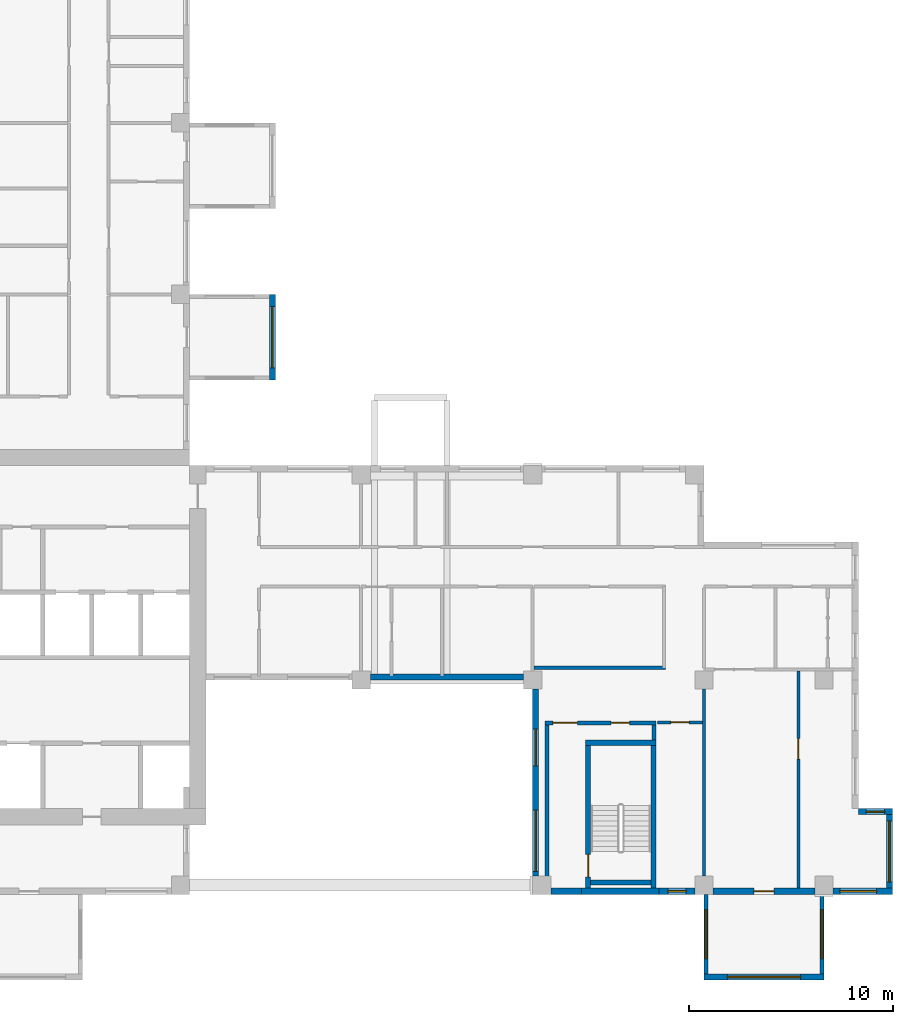
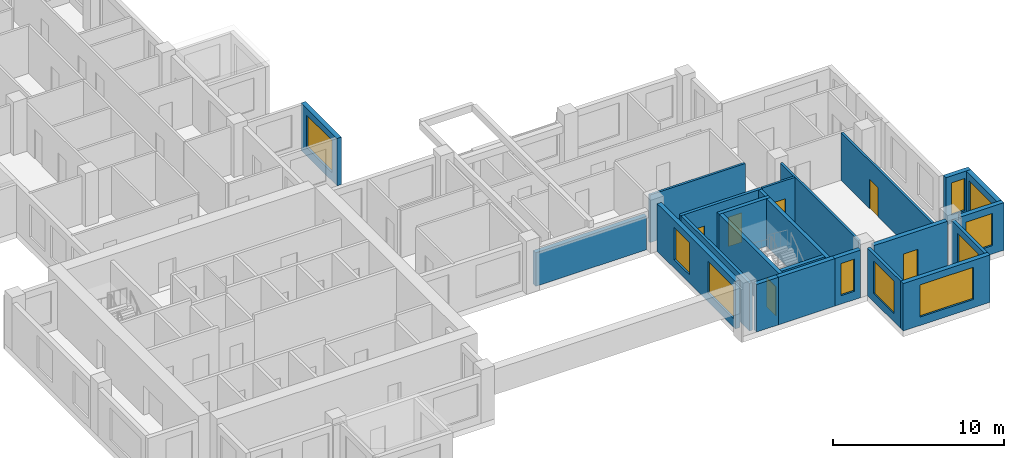
# One storey, part 4 of 11: 24 walls, 10 windows, 6 doors, 16 openings.
"""IFC4 building model written with IfcOpenShell, lengths in metres."""

import ifcopenshell
import ifcopenshell.guid

model = None  # the IFC model being written
_history = None  # IfcOwnerHistory: only IFC2X3 demands one
_inside = {}  # id of a spatial element -> (the spatial element, [elements in it])
_under = {}  # id of a project, library or spatial element -> (it, [spatial elements below it])
_declared = {}  # id of a project -> (the project, [libraries it declares])
_typed = {}  # id of a type object -> (the type object, [elements of that type])
_made_of = {}  # id of a material, layer set ... -> (it, [elements and type objects made of it])


def new_model(schema):
    """Start an empty IFC model of exactly this schema.

    Asked for "IFC4X3", IfcOpenShell would pick the latest addendum, in which some entities
    have other attributes; the version numbers below select the first issue.
    IFC2X3 requires an IfcOwnerHistory on every rooted entity: one is made here for all.
    """
    global model, _history
    if schema == "IFC4X3":
        model = ifcopenshell.file(schema_version=(4, 3, 0, 0))
    else:
        model = ifcopenshell.file(schema=schema)
    _inside.clear()
    _under.clear()
    _declared.clear()
    _typed.clear()
    _made_of.clear()
    _history = None
    if model.schema == "IFC2X3":
        org = make("IfcOrganization", Name="unknown")
        user = make(
            "IfcPersonAndOrganization",
            ThePerson=make("IfcPerson", FamilyName="unknown"),
            TheOrganization=org,
        )
        app = make(
            "IfcApplication",
            ApplicationDeveloper=org,
            Version="unknown",
            ApplicationFullName="unknown",
            ApplicationIdentifier="unknown",
        )
        _history = make(
            "IfcOwnerHistory",
            OwningUser=user,
            OwningApplication=app,
            ChangeAction="ADDED",
            CreationDate=0,
        )
    return model


def make(cls, **values):
    """One entity of the class cls with the attributes given. An attribute that is None is left unset."""
    return model.create_entity(
        cls, **{name: value for name, value in values.items() if value is not None}
    )


def rooted(cls, **values):
    """An entity with a GlobalId (a new one), such as an element, a storey or a relation."""
    return make(cls, GlobalId=ifcopenshell.guid.new(), OwnerHistory=_history, **values)


def si_unit(unit_type, name, prefix=None):
    """IfcSIUnit, for example si_unit("LENGTHUNIT", "METRE", prefix="MILLI")."""
    return make("IfcSIUnit", UnitType=unit_type, Prefix=prefix, Name=name)


def assignment(units):
    """IfcUnitAssignment: the units of a project."""
    return None if units is None else make("IfcUnitAssignment", Units=units)


def point(xyz):
    """IfcCartesianPoint."""
    return None if xyz is None else make("IfcCartesianPoint", Coordinates=xyz)


def direction(xyz):
    """IfcDirection."""
    return None if xyz is None else make("IfcDirection", DirectionRatios=xyz)


def frame(location, z_axis=None, x_axis=None):
    """IfcAxis2Placement3D, a coordinate frame: its origin and axes. An axis left out is left unset."""
    return make(
        "IfcAxis2Placement3D",
        Location=point(location),
        Axis=direction(z_axis),
        RefDirection=direction(x_axis),
    )


def frame_2d(location, x_axis=None):
    """IfcAxis2Placement2D, a coordinate frame in the plane: its origin and x axis."""
    return make(
        "IfcAxis2Placement2D", Location=point(location), RefDirection=direction(x_axis)
    )


def origin():
    """The frame at (0, 0, 0) with its axes left unset."""
    return frame((0.0, 0.0, 0.0))


def place(relative_to, where):
    """IfcLocalPlacement: puts the frame where relative to a parent placement (None: the world)."""
    return make(
        "IfcLocalPlacement", PlacementRelTo=relative_to, RelativePlacement=where
    )


def context(
    kind, dimensions, precision=None, world=None, true_north=None, identifier=None
):
    """IfcGeometricRepresentationContext, for example the 3D "Model" context."""
    return make(
        "IfcGeometricRepresentationContext",
        ContextIdentifier=identifier,
        ContextType=kind,
        CoordinateSpaceDimension=dimensions,
        Precision=precision,
        WorldCoordinateSystem=world,
        TrueNorth=true_north,
    )


def subcontext(parent, identifier, kind, view, scale=None):
    """IfcGeometricRepresentationSubContext, for example "Body" below "Model"."""
    return make(
        "IfcGeometricRepresentationSubContext",
        ContextIdentifier=identifier,
        ContextType=kind,
        ParentContext=parent,
        TargetScale=scale,
        TargetView=view,
    )


def project(units=None, contexts=None):
    """IfcProject with its units and contexts."""
    return rooted(
        "IfcProject",
        Name="project",
        RepresentationContexts=contexts,
        UnitsInContext=assignment(units),
    )


def spatial(cls, under=None, at=None, **own):
    """A site, building, storey or space (cls), placed at a placement, below another one or the project."""
    s = rooted(cls, ObjectPlacement=at, **own)
    if under is not None:
        _under.setdefault(under.id(), (under, []))[1].append(s)
    return s


def profile(cls, at=None, kind="AREA", **sizes):
    """A parametric profile (cls). Its sizes go by their IFC names, for example OverallWidth=200.0."""
    return make(cls, ProfileType=kind, Position=at, **sizes)


def rectangle(**sizes):
    """IfcRectangleProfileDef."""
    return profile("IfcRectangleProfileDef", **sizes)


def extrude(swept, where, along, depth):
    """IfcExtrudedAreaSolid: the profile swept, set in the frame where, extruded along a direction by depth."""
    return make(
        "IfcExtrudedAreaSolid",
        SweptArea=swept,
        Position=where,
        ExtrudedDirection=direction(along),
        Depth=depth,
    )


def shape(context_of_items, identifier, shape_type, items):
    """IfcShapeRepresentation: the items that make up one representation, for example the "Body"."""
    return make(
        "IfcShapeRepresentation",
        ContextOfItems=context_of_items,
        RepresentationIdentifier=identifier,
        RepresentationType=shape_type,
        Items=items,
    )


def source(mapping_origin, context_of_items, identifier, shape_type, items):
    """IfcRepresentationMap: a shape defined once, which mapped items show again and again."""
    return make(
        "IfcRepresentationMap",
        MappingOrigin=mapping_origin,
        MappedRepresentation=shape(context_of_items, identifier, shape_type, items),
    )


def transform(
    local_origin,
    x_axis=None,
    y_axis=None,
    z_axis=None,
    scale=None,
    scale2=None,
    scale3=None,
    uniform=True,
):
    """IfcCartesianTransformationOperator3D, or its non-uniform kind. x_axis, y_axis, z_axis: its Axis1, 2, 3."""
    if uniform:
        return make(
            "IfcCartesianTransformationOperator3D",
            Axis1=direction(x_axis),
            Axis2=direction(y_axis),
            LocalOrigin=point(local_origin),
            Scale=scale,
            Axis3=direction(z_axis),
        )
    return make(
        "IfcCartesianTransformationOperator3DnonUniform",
        Axis1=direction(x_axis),
        Axis2=direction(y_axis),
        LocalOrigin=point(local_origin),
        Scale=scale,
        Axis3=direction(z_axis),
        Scale2=scale2,
        Scale3=scale3,
    )


def mapped(mapping_source, mapping_target):
    """IfcMappedItem: shows the shape of a source again, moved by a transform."""
    return make(
        "IfcMappedItem", MappingSource=mapping_source, MappingTarget=mapping_target
    )


def material(Name=None, Category=None):
    """IfcMaterial."""
    return make("IfcMaterial", Name=Name, Category=Category)


def layer(
    of_material, thickness, ventilated=None, Name=None, Category=None, Priority=None
):
    """IfcMaterialLayer: one layer of a wall or slab, of a material (None: an air gap)."""
    return make(
        "IfcMaterialLayer",
        Material=of_material,
        LayerThickness=thickness,
        IsVentilated=ventilated,
        Name=Name,
        Category=Category,
        Priority=Priority,
    )


def layer_set(layers, Name=None):
    """IfcMaterialLayerSet."""
    return make("IfcMaterialLayerSet", MaterialLayers=layers, LayerSetName=Name)


def made_of(thing, what):
    """Note that an element or type object is made of a material, layer set ...; save() writes the relation."""
    if what is not None:
        _made_of.setdefault(what.id(), (what, []))[1].append(thing)
    return thing


def type_object(cls, material=None, **own):
    """A type object (cls), such as IfcWallType, which elements share."""
    return made_of(rooted(cls, **own), material)


def element(
    cls,
    number,
    at=None,
    inside=None,
    cuts=None,
    type_object=None,
    material=None,
    context=None,
    identifier="Body",
    shape_type=None,
    held_by="IfcProductDefinitionShape",
    body=None,
    shapes=None,
    **own,
):
    """One element of the class cls, such as IfcWall. Its Tag is "e" and its number.

    at: its placement. inside: the storey or other place that contains it. cuts: it is an
    opening in that element (IfcRelVoidsElement). A single representation is given by context,
    identifier, shape_type and body (its items); several are given by shapes. held_by: the class
    of the entity that holds the representations. save() writes the other relations.
    """
    e = rooted(cls, Tag="e%d" % number, ObjectPlacement=at, **own)
    if body is not None:
        shapes = [shape(context, identifier, shape_type, body)]
    if shapes is not None:
        e.Representation = make(held_by, Representations=shapes)
    if inside is not None:
        _inside.setdefault(inside.id(), (inside, []))[1].append(e)
    if cuts is not None:
        rooted(
            "IfcRelVoidsElement", RelatingBuildingElement=cuts, RelatedOpeningElement=e
        )
    if type_object is not None:
        _typed.setdefault(type_object.id(), (type_object, []))[1].append(e)
    return made_of(e, material)


def fill(opening, filler):
    """IfcRelFillsElement: the door or window that sits in an opening."""
    return rooted(
        "IfcRelFillsElement",
        RelatingOpeningElement=opening,
        RelatedBuildingElement=filler,
    )


def aggregate(whole, parts):
    """IfcRelAggregates: a whole, such as a stair, and the parts it consists of."""
    return rooted("IfcRelAggregates", RelatingObject=whole, RelatedObjects=parts)


def save(model, path):
    """Write the relations noted so far, then the file.

    IfcRelAggregates (storeys below a building ...), IfcRelContainedInSpatialStructure (elements
    in a storey), IfcRelDefinesByType, IfcRelAssociatesMaterial and IfcRelDeclares: one each for
    every whole, place, type object, material and project.
    """
    for whole, parts in _under.values():
        aggregate(whole, parts)
    for where, things in _inside.values():
        rooted(
            "IfcRelContainedInSpatialStructure",
            RelatedElements=things,
            RelatingStructure=where,
        )
    for kind, things in _typed.values():
        rooted("IfcRelDefinesByType", RelatedObjects=things, RelatingType=kind)
    for what, things in _made_of.values():
        rooted("IfcRelAssociatesMaterial", RelatedObjects=things, RelatingMaterial=what)
    for by, libraries in _declared.values():
        rooted("IfcRelDeclares", RelatingContext=by, RelatedDefinitions=libraries)
    model.write(path)


model = new_model("IFC4")

# Units and contexts
model_context = context("Model", 3, precision=1e-05, world=origin(), true_north=direction((0.0, 1.0)))
body_context = subcontext(model_context, "Body", "Model", "MODEL_VIEW")
ifc_project = project(units=[si_unit("LENGTHUNIT", "METRE"), si_unit("AREAUNIT", "SQUARE_METRE"), si_unit("VOLUMEUNIT", "CUBIC_METRE"), si_unit("PLANEANGLEUNIT", "RADIAN"), si_unit("MASSUNIT", "GRAM", prefix="KILO")], contexts=[model_context])

# Site, building, storey
site_placement = place(None, origin())
site = spatial("IfcSite", under=ifc_project, at=site_placement, CompositionType="ELEMENT")
building_placement = place(site_placement, origin())
building = spatial("IfcBuilding", under=site, at=building_placement, Name="Aurelian Terraces", CompositionType="ELEMENT")
storey_placement = place(building_placement, frame((0.0, 0.0, 212.0)))
storey = spatial("IfcBuildingStorey", under=building, at=storey_placement, Name="L47", CompositionType="ELEMENT", Elevation=212.0)

# Wall, opening, window
ifc_material_1 = material(Name="Terracotta rainscreen cladding", Category="masonry")
ifc_layer_1 = layer(ifc_material_1, 0.3)
ifc_layer_set_1 = layer_set([ifc_layer_1], Name="EW-300")
wall_type_1 = type_object("IfcWallType", Name="EW-300", PredefinedType="STANDARD", material=ifc_layer_set_1)
shared_shape_1 = source(origin(), body_context, "Body", "SweptSolid", [
    extrude(rectangle(XDim=2.91, YDim=0.3, at=frame_2d((1.455, 0.0))), origin(), (0.0, 0.0, 1.0), 3.4),
])
wall_1_placement = place(storey_placement, frame((52.53, 0.15, 0.0), z_axis=(0.0, 0.0, 1.0), x_axis=(1.0, 0.0, 0.0)))
wall_1 = element("IfcWall", 1, at=wall_1_placement, inside=storey, type_object=wall_type_1, Name="External wall L47 F05.10", PredefinedType="STANDARD", context=body_context, shape_type="MappedRepresentation", body=[
    mapped(shared_shape_1, transform((0.0, 0.0, 0.0), scale=1.0)),
])
shared_shape_2 = source(origin(), body_context, "Body", "SweptSolid", [
    extrude(rectangle(XDim=1.8, YDim=2.3, at=frame_2d((0.9, 1.15))), frame((0.0, 0.16, 0.0), z_axis=(0.0, -1.0, 0.0), x_axis=(1.0, 0.0, 0.0)), (0.0, 0.0, 1.0), 0.32),
])
opening_1_placement = place(wall_1_placement, frame((0.33, 0.0, 0.6)))
opening_1 = element("IfcOpeningElement", 2, at=opening_1_placement, cuts=wall_1, Name="Opening W1823", PredefinedType="OPENING", context=body_context, shape_type="MappedRepresentation", body=[
    mapped(shared_shape_2, transform((0.0, 0.0, 0.0), scale=1.0)),
])
ifc_material_2 = material(Name="Clear glazing", Category="glass")
window_type_1 = type_object("IfcWindowType", Name="W-1800x2300", PartitioningType="SINGLE_PANEL", PredefinedType="WINDOW", material=ifc_material_2)
shared_shape_3 = source(origin(), body_context, "Body", "SweptSolid", [
    extrude(rectangle(XDim=1.8, YDim=2.3, at=frame_2d((0.9, 1.15))), frame((0.0, 0.03, 0.0), z_axis=(0.0, -1.0, 0.0), x_axis=(1.0, 0.0, 0.0)), (0.0, 0.0, 1.0), 0.06),
])
window_1_placement = place(opening_1_placement, origin())
window_1 = element("IfcWindow", 3, at=window_1_placement, inside=storey, type_object=window_type_1, Name="Window L47 L47-F05-10-0", OverallHeight=2.3, OverallWidth=1.8, PartitioningType="SINGLE_PANEL", PredefinedType="WINDOW", context=body_context, shape_type="MappedRepresentation", body=[
    mapped(shared_shape_3, transform((0.0, 0.0, 0.0), scale=1.0)),
])
fill(opening_1, window_1)

shared_shape_4 = source(origin(), body_context, "Body", "SweptSolid", [
    extrude(rectangle(XDim=4.2, YDim=0.3, at=frame_2d((2.1, 0.0))), origin(), (0.0, 0.0, 1.0), 3.4),
])
wall_2_placement = place(storey_placement, frame((55.29, 0.0, 0.0), z_axis=(0.0, 0.0, 1.0), x_axis=(0.0, 1.0, 0.0)))
wall_2 = element("IfcWall", 4, at=wall_2_placement, inside=storey, type_object=wall_type_1, Name="External wall L47 F06.11", PredefinedType="STANDARD", context=body_context, shape_type="MappedRepresentation", body=[
    mapped(shared_shape_4, transform((0.0, 0.0, 0.0), scale=1.0)),
])
shared_shape_5 = source(origin(), body_context, "Body", "SweptSolid", [
    extrude(rectangle(XDim=3.0, YDim=2.3, at=frame_2d((1.5, 1.15))), frame((0.0, 0.16, 0.0), z_axis=(0.0, -1.0, 0.0), x_axis=(1.0, 0.0, 0.0)), (0.0, 0.0, 1.0), 0.32),
])
opening_2_placement = place(wall_2_placement, frame((0.6, 0.0, 0.6)))
opening_2 = element("IfcOpeningElement", 5, at=opening_2_placement, cuts=wall_2, Name="Opening W3023", PredefinedType="OPENING", context=body_context, shape_type="MappedRepresentation", body=[
    mapped(shared_shape_5, transform((0.0, 0.0, 0.0), scale=1.0)),
])
window_type_2 = type_object("IfcWindowType", Name="W-3000x2300", PartitioningType="SINGLE_PANEL", PredefinedType="WINDOW", material=ifc_material_2)
shared_shape_6 = source(origin(), body_context, "Body", "SweptSolid", [
    extrude(rectangle(XDim=3.0, YDim=2.3, at=frame_2d((1.5, 1.15))), frame((0.0, 0.03, 0.0), z_axis=(0.0, -1.0, 0.0), x_axis=(1.0, 0.0, 0.0)), (0.0, 0.0, 1.0), 0.06),
])
window_2_placement = place(opening_2_placement, origin())
window_2 = element("IfcWindow", 6, at=window_2_placement, inside=storey, type_object=window_type_2, Name="Window L47 L47-F06-11-0", OverallHeight=2.3, OverallWidth=3.0, PartitioningType="SINGLE_PANEL", PredefinedType="WINDOW", context=body_context, shape_type="MappedRepresentation", body=[
    mapped(shared_shape_6, transform((0.0, 0.0, 0.0), scale=1.0)),
])
fill(opening_2, window_2)

shared_shape_7 = source(origin(), body_context, "Body", "SweptSolid", [
    extrude(rectangle(XDim=1.68, YDim=0.3, at=frame_2d((0.84, 0.0))), origin(), (0.0, 0.0, 1.0), 3.4),
])
wall_3_placement = place(storey_placement, frame((55.44, 4.05, 0.0), z_axis=(0.0, 0.0, 1.0), x_axis=(-1.0, 0.0, 0.0)))
wall_3 = element("IfcWall", 7, at=wall_3_placement, inside=storey, type_object=wall_type_1, Name="External wall L47 F07.12", PredefinedType="STANDARD", context=body_context, shape_type="MappedRepresentation", body=[
    mapped(shared_shape_7, transform((0.0, 0.0, 0.0), scale=1.0)),
])
shared_shape_8 = source(origin(), body_context, "Body", "SweptSolid", [
    extrude(rectangle(XDim=0.9, YDim=2.3, at=frame_2d((0.45, 1.15))), frame((0.0, 0.16, 0.0), z_axis=(0.0, -1.0, 0.0), x_axis=(1.0, 0.0, 0.0)), (0.0, 0.0, 1.0), 0.32),
])
opening_3_placement = place(wall_3_placement, frame((0.39, 0.0, 0.6)))
opening_3 = element("IfcOpeningElement", 8, at=opening_3_placement, cuts=wall_3, Name="Opening W0923", PredefinedType="OPENING", context=body_context, shape_type="MappedRepresentation", body=[
    mapped(shared_shape_8, transform((0.0, 0.0, 0.0), scale=1.0)),
])
window_type_3 = type_object("IfcWindowType", Name="W-900x2300", PartitioningType="SINGLE_PANEL", PredefinedType="WINDOW", material=ifc_material_2)
shared_shape_9 = source(origin(), body_context, "Body", "SweptSolid", [
    extrude(rectangle(XDim=0.9, YDim=2.3, at=frame_2d((0.45, 1.15))), frame((0.0, 0.03, 0.0), z_axis=(0.0, -1.0, 0.0), x_axis=(1.0, 0.0, 0.0)), (0.0, 0.0, 1.0), 0.06),
])
window_3_placement = place(opening_3_placement, origin())
window_3 = element("IfcWindow", 9, at=window_3_placement, inside=storey, type_object=window_type_3, Name="Window L47 L47-F07-12-P0", OverallHeight=2.3, OverallWidth=0.9, PartitioningType="SINGLE_PANEL", PredefinedType="WINDOW", context=body_context, shape_type="MappedRepresentation", body=[
    mapped(shared_shape_9, transform((0.0, 0.0, 0.0), scale=1.0)),
])
fill(opening_3, window_3)

ifc_material_3 = material(Name="Concrete fc' 40 MPa", Category="concrete")
ifc_layer_2 = layer(ifc_material_3, 0.2)
ifc_layer_set_2 = layer_set([ifc_layer_2], Name="BOX BEARING WALL 200")
wall_type_2 = type_object("IfcWallType", Name="BOX BEARING WALL 200", PredefinedType="SOLIDWALL", material=ifc_layer_set_2)
shared_shape_10 = source(origin(), body_context, "Body", "SweptSolid", [
    extrude(rectangle(XDim=3.9, YDim=0.2, at=frame_2d((1.95, 0.0))), origin(), (0.0, 0.0, 1.0), 3.39),
])
wall_4_placement = place(storey_placement, frame((46.3, 0.0, 0.0), z_axis=(0.0, 0.0, 1.0), x_axis=(0.0, -1.0, 0.0)))
wall_4 = element("IfcWall", 10, at=wall_4_placement, inside=storey, type_object=wall_type_2, Name="Box return L47 J67.1", PredefinedType="SOLIDWALL", context=body_context, shape_type="MappedRepresentation", body=[
    mapped(shared_shape_10, transform((0.0, 0.0, 0.0), scale=1.0)),
])
shared_shape_11 = source(origin(), body_context, "Body", "SweptSolid", [
    extrude(rectangle(XDim=2.4, YDim=2.3, at=frame_2d((1.2, 1.15))), frame((0.0, 0.11, 0.0), z_axis=(0.0, -1.0, 0.0), x_axis=(1.0, 0.0, 0.0)), (0.0, 0.0, 1.0), 0.22),
])
opening_4_placement = place(wall_4_placement, frame((0.75, 0.0, 0.6)))
opening_4 = element("IfcOpeningElement", 11, at=opening_4_placement, cuts=wall_4, Name="Opening W2423", PredefinedType="OPENING", context=body_context, shape_type="MappedRepresentation", body=[
    mapped(shared_shape_11, transform((0.0, 0.0, 0.0), scale=1.0)),
])
window_type_4 = type_object("IfcWindowType", Name="W-2400x2300", PartitioningType="SINGLE_PANEL", PredefinedType="WINDOW", material=ifc_material_2)
shared_shape_12 = source(origin(), body_context, "Body", "SweptSolid", [
    extrude(rectangle(XDim=2.4, YDim=2.3, at=frame_2d((1.2, 1.15))), frame((0.0, 0.03, 0.0), z_axis=(0.0, -1.0, 0.0), x_axis=(1.0, 0.0, 0.0)), (0.0, 0.0, 1.0), 0.06),
])
window_4_placement = place(opening_4_placement, origin())
window_4 = element("IfcWindow", 12, at=window_4_placement, inside=storey, type_object=window_type_4, Name="Window L47 J67-S1", OverallHeight=2.3, OverallWidth=2.4, PartitioningType="SINGLE_PANEL", PredefinedType="WINDOW", context=body_context, shape_type="MappedRepresentation", body=[
    mapped(shared_shape_12, transform((0.0, 0.0, 0.0), scale=1.0)),
])
fill(opening_4, window_4)

wall_5_placement = place(storey_placement, frame((51.98, 0.0, 0.0), z_axis=(0.0, 0.0, 1.0), x_axis=(0.0, -1.0, 0.0)))
wall_5 = element("IfcWall", 13, at=wall_5_placement, inside=storey, type_object=wall_type_2, Name="Box return L47 J67.2", PredefinedType="SOLIDWALL", context=body_context, shape_type="MappedRepresentation", body=[
    mapped(shared_shape_10, transform((0.0, 0.0, 0.0), scale=1.0)),
])
opening_5_placement = place(wall_5_placement, frame((0.75, 0.0, 0.6)))
opening_5 = element("IfcOpeningElement", 14, at=opening_5_placement, cuts=wall_5, Name="Opening W2423", PredefinedType="OPENING", context=body_context, shape_type="MappedRepresentation", body=[
    mapped(shared_shape_11, transform((0.0, 0.0, 0.0), scale=1.0)),
])
window_5_placement = place(opening_5_placement, origin())
window_5 = element("IfcWindow", 15, at=window_5_placement, inside=storey, type_object=window_type_4, Name="Window L47 J67-S2", OverallHeight=2.3, OverallWidth=2.4, PartitioningType="SINGLE_PANEL", PredefinedType="WINDOW", context=body_context, shape_type="MappedRepresentation", body=[
    mapped(shared_shape_12, transform((0.0, 0.0, 0.0), scale=1.0)),
])
fill(opening_5, window_5)

ifc_layer_3 = layer(ifc_material_3, 0.3)
ifc_layer_set_3 = layer_set([ifc_layer_3], Name="BOX BEARING WALL 300")
wall_type_3 = type_object("IfcWallType", Name="BOX BEARING WALL 300", PredefinedType="SOLIDWALL", material=ifc_layer_set_3)
shared_shape_13 = source(origin(), body_context, "Body", "SweptSolid", [
    extrude(rectangle(XDim=4.2, YDim=0.3, at=frame_2d((2.1, 0.0))), origin(), (0.0, 0.0, 1.0), 3.39),
])
wall_6_placement = place(storey_placement, frame((25.05, 25.2, 0.0), z_axis=(0.0, 0.0, 1.0), x_axis=(0.0, 1.0, 0.0)))
wall_6 = element("IfcWall", 16, at=wall_6_placement, inside=storey, type_object=wall_type_3, Name="Box wall L47 J68", PredefinedType="SOLIDWALL", context=body_context, shape_type="MappedRepresentation", body=[
    mapped(shared_shape_13, transform((0.0, 0.0, 0.0), scale=1.0)),
])
opening_6_placement = place(wall_6_placement, frame((0.6, 0.0, 0.6)))
opening_6 = element("IfcOpeningElement", 17, at=opening_6_placement, cuts=wall_6, Name="Opening W3023", PredefinedType="OPENING", context=body_context, shape_type="MappedRepresentation", body=[
    mapped(shared_shape_5, transform((0.0, 0.0, 0.0), scale=1.0)),
])
window_6_placement = place(opening_6_placement, origin())
window_6 = element("IfcWindow", 18, at=window_6_placement, inside=storey, type_object=window_type_2, Name="Window L47 J68-F1", OverallHeight=2.3, OverallWidth=3.0, PartitioningType="SINGLE_PANEL", PredefinedType="WINDOW", context=body_context, shape_type="MappedRepresentation", body=[
    mapped(shared_shape_6, transform((0.0, 0.0, 0.0), scale=1.0)),
])
fill(opening_6, window_6)

# Wall
ifc_layer_4 = layer(ifc_material_3, 0.3)
ifc_layer_set_4 = layer_set([ifc_layer_4], Name="STAIR BAY WALL 300")
wall_type_4 = type_object("IfcWallType", Name="STAIR BAY WALL 300", PredefinedType="SOLIDWALL", material=ifc_layer_set_4)
shared_shape_14 = source(origin(), body_context, "Body", "SweptSolid", [
    extrude(rectangle(XDim=3.8, YDim=0.3, at=frame_2d((1.9, 0.0))), origin(), (0.0, 0.0, 1.0), 3.4),
])
wall_7_placement = place(storey_placement, frame((40.2, 0.15, 0.0), z_axis=(0.0, 0.0, 1.0), x_axis=(1.0, 0.0, 0.0)))
element("IfcWall", 19, at=wall_7_placement, inside=storey, type_object=wall_type_4, Name="Stair bay wall L47 F05.8", PredefinedType="SOLIDWALL", context=body_context, shape_type="MappedRepresentation", body=[
    mapped(shared_shape_14, transform((0.0, 0.0, 0.0), scale=1.0)),
])

# Wall, opening, window
shared_shape_15 = source(origin(), body_context, "Body", "SweptSolid", [
    extrude(rectangle(XDim=1.75, YDim=0.3, at=frame_2d((0.875, 0.0))), origin(), (0.0, 0.0, 1.0), 3.4),
])
wall_8_placement = place(storey_placement, frame((44.0, 0.15, 0.0), z_axis=(0.0, 0.0, 1.0), x_axis=(1.0, 0.0, 0.0)))
wall_8 = element("IfcWall", 20, at=wall_8_placement, inside=storey, type_object=wall_type_1, Name="External wall L47 F05.8", PredefinedType="STANDARD", context=body_context, shape_type="MappedRepresentation", body=[
    mapped(shared_shape_15, transform((0.0, 0.0, 0.0), scale=1.0)),
])
opening_7_placement = place(wall_8_placement, frame((0.425, 0.0, 0.6)))
opening_7 = element("IfcOpeningElement", 21, at=opening_7_placement, cuts=wall_8, Name="Opening W0923", PredefinedType="OPENING", context=body_context, shape_type="MappedRepresentation", body=[
    mapped(shared_shape_8, transform((0.0, 0.0, 0.0), scale=1.0)),
])
window_7_placement = place(opening_7_placement, origin())
window_7 = element("IfcWindow", 22, at=window_7_placement, inside=storey, type_object=window_type_3, Name="Window L47 L47-F05-08-P2", OverallHeight=2.3, OverallWidth=0.9, PartitioningType="SINGLE_PANEL", PredefinedType="WINDOW", context=body_context, shape_type="MappedRepresentation", body=[
    mapped(shared_shape_9, transform((0.0, 0.0, 0.0), scale=1.0)),
])
fill(opening_7, window_7)

# Wall, opening, door
shared_shape_16 = source(origin(), body_context, "Body", "SweptSolid", [
    extrude(rectangle(XDim=4.98, YDim=0.3, at=frame_2d((2.49, 0.0))), origin(), (0.0, 0.0, 1.0), 3.4),
])
wall_9_placement = place(storey_placement, frame((46.65, 0.15, 0.0), z_axis=(0.0, 0.0, 1.0), x_axis=(1.0, 0.0, 0.0)))
wall_9 = element("IfcWall", 23, at=wall_9_placement, inside=storey, type_object=wall_type_1, Name="External wall L47 F05.9", PredefinedType="STANDARD", context=body_context, shape_type="MappedRepresentation", body=[
    mapped(shared_shape_16, transform((0.0, 0.0, 0.0), scale=1.0)),
])
shared_shape_17 = source(origin(), body_context, "Body", "SweptSolid", [
    extrude(rectangle(XDim=1.0, YDim=2.1, at=frame_2d((0.5, 1.05))), frame((0.0, 0.16, 0.0), z_axis=(0.0, -1.0, 0.0), x_axis=(1.0, 0.0, 0.0)), (0.0, 0.0, 1.0), 0.32),
])
opening_8_placement = place(wall_9_placement, frame((1.99, 0.0, 0.0)))
opening_8 = element("IfcOpeningElement", 24, at=opening_8_placement, cuts=wall_9, Name="Opening 847004", PredefinedType="OPENING", context=body_context, shape_type="MappedRepresentation", body=[
    mapped(shared_shape_17, transform((0.0, 0.0, 0.0), scale=1.0)),
])
ifc_material_4 = material(Name="Timber door leaf", Category="wood")
door_type_1 = type_object("IfcDoorType", Name="Room door 1000x2100 left", OperationType="SINGLE_SWING_LEFT", PredefinedType="DOOR", material=ifc_material_4)
shared_shape_18 = source(origin(), body_context, "Body", "SweptSolid", [
    extrude(rectangle(XDim=1.0, YDim=2.1, at=frame_2d((0.5, 1.05))), frame((0.0, 0.025, 0.0), z_axis=(0.0, -1.0, 0.0), x_axis=(1.0, 0.0, 0.0)), (0.0, 0.0, 1.0), 0.05),
])
door_1_placement = place(opening_8_placement, origin())
door_1 = element("IfcDoor", 25, at=door_1_placement, inside=storey, type_object=door_type_1, Name="Door 847004", OperationType="SINGLE_SWING_LEFT", OverallHeight=2.1, OverallWidth=1.0, PredefinedType="DOOR", context=body_context, shape_type="MappedRepresentation", body=[
    mapped(shared_shape_18, transform((0.0, 0.0, 0.0), scale=1.0)),
])
fill(opening_8, door_1)

# Wall, openings, windows
shared_shape_19 = source(origin(), body_context, "Body", "SweptSolid", [
    extrude(rectangle(XDim=9.15, YDim=0.3, at=frame_2d((4.575, 0.0))), origin(), (0.0, 0.0, 1.0), 3.4),
])
wall_10_placement = place(storey_placement, frame((37.95, 10.05, 0.0), z_axis=(0.0, 0.0, 1.0), x_axis=(0.0, -1.0, 0.0)))
wall_10 = element("IfcWall", 26, at=wall_10_placement, inside=storey, type_object=wall_type_1, Name="External wall L47 F04.7", PredefinedType="STANDARD", context=body_context, shape_type="MappedRepresentation", body=[
    mapped(shared_shape_19, transform((0.0, 0.0, 0.0), scale=1.0)),
])
opening_9_placement = place(wall_10_placement, frame((1.9625, 0.0, 0.6)))
opening_9 = element("IfcOpeningElement", 27, at=opening_9_placement, cuts=wall_10, Name="Opening W1823", PredefinedType="OPENING", context=body_context, shape_type="MappedRepresentation", body=[
    mapped(shared_shape_2, transform((0.0, 0.0, 0.0), scale=1.0)),
])
opening_10_placement = place(wall_10_placement, frame((5.925, 0.0, 0.6)))
opening_10 = element("IfcOpeningElement", 28, at=opening_10_placement, cuts=wall_10, Name="Opening W3023", PredefinedType="OPENING", context=body_context, shape_type="MappedRepresentation", body=[
    mapped(shared_shape_5, transform((0.0, 0.0, 0.0), scale=1.0)),
])
window_8_placement = place(opening_10_placement, origin())
window_8 = element("IfcWindow", 29, at=window_8_placement, inside=storey, type_object=window_type_2, Name="Window L47 L47-F04-07-1", OverallHeight=2.3, OverallWidth=3.0, PartitioningType="SINGLE_PANEL", PredefinedType="WINDOW", context=body_context, shape_type="MappedRepresentation", body=[
    mapped(shared_shape_6, transform((0.0, 0.0, 0.0), scale=1.0)),
])
fill(opening_10, window_8)
window_9_placement = place(opening_9_placement, origin())
window_9 = element("IfcWindow", 30, at=window_9_placement, inside=storey, type_object=window_type_1, Name="Window L47 L47-F04-07-0", OverallHeight=2.3, OverallWidth=1.8, PartitioningType="SINGLE_PANEL", PredefinedType="WINDOW", context=body_context, shape_type="MappedRepresentation", body=[
    mapped(shared_shape_3, transform((0.0, 0.0, 0.0), scale=1.0)),
])
fill(opening_9, window_9)

# Wall, opening, window
shared_shape_20 = source(origin(), body_context, "Body", "SweptSolid", [
    extrude(rectangle(XDim=5.88, YDim=0.3, at=frame_2d((2.94, 0.0))), origin(), (0.0, 0.0, 1.0), 3.39),
])
wall_11_placement = place(storey_placement, frame((46.2, -4.05, 0.0), z_axis=(0.0, 0.0, 1.0), x_axis=(1.0, 0.0, 0.0)))
wall_11 = element("IfcWall", 31, at=wall_11_placement, inside=storey, type_object=wall_type_3, Name="Box wall L47 J67", PredefinedType="SOLIDWALL", context=body_context, shape_type="MappedRepresentation", body=[
    mapped(shared_shape_20, transform((0.0, 0.0, 0.0), scale=1.0)),
])
shared_shape_21 = source(origin(), body_context, "Body", "SweptSolid", [
    extrude(rectangle(XDim=3.6, YDim=2.3, at=frame_2d((1.8, 1.15))), frame((0.0, 0.16, 0.0), z_axis=(0.0, -1.0, 0.0), x_axis=(1.0, 0.0, 0.0)), (0.0, 0.0, 1.0), 0.32),
])
opening_11_placement = place(wall_11_placement, frame((1.14, 0.0, 0.6)))
opening_11 = element("IfcOpeningElement", 32, at=opening_11_placement, cuts=wall_11, Name="Opening W3623", PredefinedType="OPENING", context=body_context, shape_type="MappedRepresentation", body=[
    mapped(shared_shape_21, transform((0.0, 0.0, 0.0), scale=1.0)),
])
window_type_5 = type_object("IfcWindowType", Name="W-3600x2300", PartitioningType="SINGLE_PANEL", PredefinedType="WINDOW", material=ifc_material_2)
shared_shape_22 = source(origin(), body_context, "Body", "SweptSolid", [
    extrude(rectangle(XDim=3.6, YDim=2.3, at=frame_2d((1.8, 1.15))), frame((0.0, 0.03, 0.0), z_axis=(0.0, -1.0, 0.0), x_axis=(1.0, 0.0, 0.0)), (0.0, 0.0, 1.0), 0.06),
])
window_10_placement = place(opening_11_placement, origin())
window_10 = element("IfcWindow", 33, at=window_10_placement, inside=storey, type_object=window_type_5, Name="Window L47 J67-F1", OverallHeight=2.3, OverallWidth=3.6, PartitioningType="SINGLE_PANEL", PredefinedType="WINDOW", context=body_context, shape_type="MappedRepresentation", body=[
    mapped(shared_shape_22, transform((0.0, 0.0, 0.0), scale=1.0)),
])
fill(opening_11, window_10)

# Walls
shared_shape_23 = source(origin(), body_context, "Body", "SweptSolid", [
    extrude(rectangle(XDim=7.5, YDim=0.3, at=frame_2d((3.75, 0.0))), origin(), (0.0, 0.0, 1.0), 2.4),
])
wall_12_placement = place(storey_placement, frame((29.85, 10.65, 0.0), z_axis=(0.0, 0.0, 1.0), x_axis=(1.0, 0.0, 0.0)))
element("IfcWall", 34, at=wall_12_placement, inside=storey, type_object=wall_type_1, Name="External wall L47 F03.6", PredefinedType="STANDARD", context=body_context, shape_type="MappedRepresentation", body=[
    mapped(shared_shape_23, transform((0.0, 0.0, 0.0), scale=1.0)),
])
shared_shape_24 = source(origin(), body_context, "Body", "SweptSolid", [
    extrude(rectangle(XDim=1.5, YDim=0.3, at=frame_2d((0.75, 0.0))), origin(), (0.0, 0.0, 1.0), 3.4),
])
wall_13_placement = place(storey_placement, frame((38.7, 0.15, 0.0), z_axis=(0.0, 0.0, 1.0), x_axis=(1.0, 0.0, 0.0)))
element("IfcWall", 35, at=wall_13_placement, inside=storey, type_object=wall_type_1, Name="External wall L47 F05.8", PredefinedType="STANDARD", context=body_context, shape_type="MappedRepresentation", body=[
    mapped(shared_shape_24, transform((0.0, 0.0, 0.0), scale=1.0)),
])

# Wall, opening, door
ifc_layer_5 = layer(ifc_material_3, 0.25)
ifc_layer_set_5 = layer_set([ifc_layer_5], Name="Stair enclosure wall 250")
wall_type_5 = type_object("IfcWallType", Name="Stair enclosure wall 250", PredefinedType="SOLIDWALL", material=ifc_layer_set_5)
shared_shape_25 = source(origin(), body_context, "Body", "SweptSolid", [
    extrude(rectangle(XDim=7.0, YDim=0.25, at=frame_2d((3.5, 0.0))), origin(), (0.0, 0.0, 1.0), 3.4),
])
wall_14_placement = place(storey_placement, frame((40.525, 0.3, 0.0), z_axis=(0.0, 0.0, 1.0), x_axis=(0.0, 1.0, 0.0)))
wall_14 = element("IfcWall", 36, at=wall_14_placement, inside=storey, type_object=wall_type_5, Name="L47 core wall ST-S2-W", PredefinedType="SOLIDWALL", context=body_context, shape_type="MappedRepresentation", body=[
    mapped(shared_shape_25, transform((0.0, 0.0, 0.0), scale=1.0)),
])
shared_shape_26 = source(origin(), body_context, "Body", "SweptSolid", [
    extrude(rectangle(XDim=1.1, YDim=2.1, at=frame_2d((0.55, 1.05))), frame((0.0, 0.135, 0.0), z_axis=(0.0, -1.0, 0.0), x_axis=(1.0, 0.0, 0.0)), (0.0, 0.0, 1.0), 0.27),
])
opening_12_placement = place(wall_14_placement, frame((0.55, 0.0, 0.0)))
opening_12 = element("IfcOpeningElement", 37, at=opening_12_placement, cuts=wall_14, Name="Opening 65015", PredefinedType="OPENING", context=body_context, shape_type="MappedRepresentation", body=[
    mapped(shared_shape_26, transform((0.0, 0.0, 0.0), scale=1.0)),
])
ifc_material_5 = material(Name="Steel door leaf", Category="steel")
door_type_2 = type_object("IfcDoorType", Name="Core fire door 1100x2100 right", OperationType="SINGLE_SWING_RIGHT", PredefinedType="DOOR", material=ifc_material_5)
shared_shape_27 = source(origin(), body_context, "Body", "SweptSolid", [
    extrude(rectangle(XDim=1.1, YDim=2.1, at=frame_2d((0.55, 1.05))), frame((0.0, 0.025, 0.0), z_axis=(0.0, -1.0, 0.0), x_axis=(1.0, 0.0, 0.0)), (0.0, 0.0, 1.0), 0.05),
])
door_2_placement = place(opening_12_placement, origin())
door_2 = element("IfcDoor", 38, at=door_2_placement, inside=storey, type_object=door_type_2, Name="Stair door 65015", OperationType="SINGLE_SWING_RIGHT", OverallHeight=2.1, OverallWidth=1.1, PredefinedType="DOOR", context=body_context, shape_type="MappedRepresentation", body=[
    mapped(shared_shape_27, transform((0.0, 0.0, 0.0), scale=1.0)),
])
fill(opening_12, door_2)

# Walls
wall_15_placement = place(storey_placement, frame((43.725, 0.3, 0.0), z_axis=(0.0, 0.0, 1.0), x_axis=(0.0, 1.0, 0.0)))
element("IfcWall", 39, at=wall_15_placement, inside=storey, type_object=wall_type_5, Name="L47 core wall ST-S2-E", PredefinedType="SOLIDWALL", context=body_context, shape_type="MappedRepresentation", body=[
    mapped(shared_shape_25, transform((0.0, 0.0, 0.0), scale=1.0)),
])
shared_shape_28 = source(origin(), body_context, "Body", "SweptSolid", [
    extrude(rectangle(XDim=3.45, YDim=0.25, at=frame_2d((1.725, 0.0))), origin(), (0.0, 0.0, 1.0), 3.4),
])
wall_16_placement = place(storey_placement, frame((40.4, 7.425, 0.0), z_axis=(0.0, 0.0, 1.0), x_axis=(1.0, 0.0, 0.0)))
element("IfcWall", 40, at=wall_16_placement, inside=storey, type_object=wall_type_5, Name="L47 core wall ST-S2-N", PredefinedType="SOLIDWALL", context=body_context, shape_type="MappedRepresentation", body=[
    mapped(shared_shape_28, transform((0.0, 0.0, 0.0), scale=1.0)),
])
shared_shape_29 = source(origin(), body_context, "Body", "SweptSolid", [
    extrude(rectangle(XDim=2.95, YDim=0.25, at=frame_2d((1.475, 0.0))), origin(), (0.0, 0.0, 1.0), 3.4),
])
wall_17_placement = place(storey_placement, frame((40.65, 0.575, 0.0), z_axis=(0.0, 0.0, 1.0), x_axis=(1.0, 0.0, 0.0)))
element("IfcWall", 41, at=wall_17_placement, inside=storey, type_object=wall_type_5, Name="L47 core wall ST-S2-SS", PredefinedType="SOLIDWALL", context=body_context, shape_type="MappedRepresentation", body=[
    mapped(shared_shape_29, transform((0.0, 0.0, 0.0), scale=1.0)),
])

# Wall, openings, doors
ifc_material_6 = material(Name="Gypsum board on steel studs", Category="steel")
ifc_layer_6 = layer(ifc_material_6, 0.2)
ifc_layer_set_6 = layer_set([ifc_layer_6], Name="Core partition 200")
wall_type_6 = type_object("IfcWallType", Name="Core partition 200", PredefinedType="PARTITIONING", material=ifc_layer_set_6)
shared_shape_30 = source(origin(), body_context, "Body", "SweptSolid", [
    extrude(rectangle(XDim=5.45, YDim=0.2, at=frame_2d((2.725, 0.0))), origin(), (0.0, 0.0, 1.0), 3.4),
])
wall_18_placement = place(storey_placement, frame((38.4, 8.4, 0.0), z_axis=(0.0, 0.0, 1.0), x_axis=(1.0, 0.0, 0.0)))
wall_18 = element("IfcWall", 42, at=wall_18_placement, inside=storey, type_object=wall_type_6, Name="L47 core wall ST-S2-BN", PredefinedType="PARTITIONING", context=body_context, shape_type="MappedRepresentation", body=[
    mapped(shared_shape_30, transform((0.0, 0.0, 0.0), scale=1.0)),
])
shared_shape_31 = source(origin(), body_context, "Body", "SweptSolid", [
    extrude(rectangle(XDim=1.2, YDim=2.1, at=frame_2d((0.6, 1.05))), frame((0.0, 0.11, 0.0), z_axis=(0.0, -1.0, 0.0), x_axis=(1.0, 0.0, 0.0)), (0.0, 0.0, 1.0), 0.22),
])
opening_13_placement = place(wall_18_placement, frame((0.4, 0.0, 0.0)))
opening_13 = element("IfcOpeningElement", 43, at=opening_13_placement, cuts=wall_18, Name="Opening 65016", PredefinedType="OPENING", context=body_context, shape_type="MappedRepresentation", body=[
    mapped(shared_shape_31, transform((0.0, 0.0, 0.0), scale=1.0)),
])
shared_shape_32 = source(origin(), body_context, "Body", "SweptSolid", [
    extrude(rectangle(XDim=0.9, YDim=2.1, at=frame_2d((0.45, 1.05))), frame((0.0, 0.11, 0.0), z_axis=(0.0, -1.0, 0.0), x_axis=(1.0, 0.0, 0.0)), (0.0, 0.0, 1.0), 0.22),
])
opening_14_placement = place(wall_18_placement, frame((3.25, 0.0, 0.0)))
opening_14 = element("IfcOpeningElement", 44, at=opening_14_placement, cuts=wall_18, Name="Opening 65017", PredefinedType="OPENING", context=body_context, shape_type="MappedRepresentation", body=[
    mapped(shared_shape_32, transform((0.0, 0.0, 0.0), scale=1.0)),
])
door_type_3 = type_object("IfcDoorType", Name="Core riser door 900x2100 right", OperationType="SINGLE_SWING_RIGHT", PredefinedType="DOOR", material=ifc_material_5)
shared_shape_33 = source(origin(), body_context, "Body", "SweptSolid", [
    extrude(rectangle(XDim=0.9, YDim=2.1, at=frame_2d((0.45, 1.05))), frame((0.0, 0.025, 0.0), z_axis=(0.0, -1.0, 0.0), x_axis=(1.0, 0.0, 0.0)), (0.0, 0.0, 1.0), 0.05),
])
door_3_placement = place(opening_14_placement, origin())
door_3 = element("IfcDoor", 45, at=door_3_placement, inside=storey, type_object=door_type_3, Name="Riser door 65017", OperationType="SINGLE_SWING_RIGHT", OverallHeight=2.1, OverallWidth=0.9, PredefinedType="DOOR", context=body_context, shape_type="MappedRepresentation", body=[
    mapped(shared_shape_33, transform((0.0, 0.0, 0.0), scale=1.0)),
])
fill(opening_14, door_3)
door_type_4 = type_object("IfcDoorType", Name="Core fire door 1200x2100", OperationType="SINGLE_SWING_LEFT", PredefinedType="DOOR", material=ifc_material_5)
shared_shape_34 = source(origin(), body_context, "Body", "SweptSolid", [
    extrude(rectangle(XDim=1.2, YDim=2.1, at=frame_2d((0.6, 1.05))), frame((0.0, 0.025, 0.0), z_axis=(0.0, -1.0, 0.0), x_axis=(1.0, 0.0, 0.0)), (0.0, 0.0, 1.0), 0.05),
])
door_4_placement = place(opening_13_placement, origin())
door_4 = element("IfcDoor", 46, at=door_4_placement, inside=storey, type_object=door_type_4, Name="Vestibule door 65016", OperationType="SINGLE_SWING_LEFT", OverallHeight=2.1, OverallWidth=1.2, PredefinedType="DOOR", context=body_context, shape_type="MappedRepresentation", body=[
    mapped(shared_shape_34, transform((0.0, 0.0, 0.0), scale=1.0)),
])
fill(opening_13, door_4)

# Walls
shared_shape_35 = source(origin(), body_context, "Body", "SweptSolid", [
    extrude(rectangle(XDim=0.75, YDim=0.2, at=frame_2d((0.375, 0.0))), origin(), (0.0, 0.0, 1.0), 3.4),
])
wall_19_placement = place(storey_placement, frame((43.75, 7.55, 0.0), z_axis=(0.0, 0.0, 1.0), x_axis=(0.0, 1.0, 0.0)))
element("IfcWall", 47, at=wall_19_placement, inside=storey, type_object=wall_type_6, Name="L47 core wall ST-S2-RE", PredefinedType="PARTITIONING", context=body_context, shape_type="MappedRepresentation", body=[
    mapped(shared_shape_35, transform((0.0, 0.0, 0.0), scale=1.0)),
])
shared_shape_36 = source(origin(), body_context, "Body", "SweptSolid", [
    extrude(rectangle(XDim=8.0, YDim=0.2, at=frame_2d((4.0, 0.0))), origin(), (0.0, 0.0, 1.0), 3.4),
])
wall_20_placement = place(storey_placement, frame((38.5, 0.3, 0.0), z_axis=(0.0, 0.0, 1.0), x_axis=(0.0, 1.0, 0.0)))
element("IfcWall", 48, at=wall_20_placement, inside=storey, type_object=wall_type_6, Name="L47 core wall ST-S2-VW", PredefinedType="PARTITIONING", context=body_context, shape_type="MappedRepresentation", body=[
    mapped(shared_shape_36, transform((0.0, 0.0, 0.0), scale=1.0)),
])
ifc_layer_7 = layer(ifc_material_6, 0.15)
ifc_layer_set_7 = layer_set([ifc_layer_7], Name="Partition 150")
wall_type_7 = type_object("IfcWallType", Name="Partition 150", PredefinedType="PARTITIONING", material=ifc_layer_set_7)
shared_shape_37 = source(origin(), body_context, "Body", "SweptSolid", [
    extrude(rectangle(XDim=6.45, YDim=0.15, at=frame_2d((3.225, 0.0))), origin(), (0.0, 0.0, 1.0), 3.4),
])
wall_21_placement = place(storey_placement, frame((37.875, 11.1, 0.0), z_axis=(0.0, 0.0, 1.0), x_axis=(1.0, 0.0, 0.0)))
element("IfcWall", 49, at=wall_21_placement, inside=storey, type_object=wall_type_7, Name="Partition", PredefinedType="PARTITIONING", context=body_context, shape_type="MappedRepresentation", body=[
    mapped(shared_shape_37, transform((0.0, 0.0, 0.0), scale=1.0)),
])
ifc_layer_8 = layer(ifc_material_6, 0.15)
ifc_layer_set_8 = layer_set([ifc_layer_8], Name="Fire partition 150")
wall_type_8 = type_object("IfcWallType", Name="Fire partition 150", PredefinedType="PARTITIONING", material=ifc_layer_set_8)
shared_shape_38 = source(origin(), body_context, "Body", "SweptSolid", [
    extrude(rectangle(XDim=9.152, YDim=0.15, at=frame_2d((4.576, 0.0))), origin(), (0.0, 0.0, 1.0), 3.4),
])
wall_22_placement = place(storey_placement, frame((46.2, 0.899, 0.0), z_axis=(0.0, 0.0, 1.0), x_axis=(0.0, 1.0, 0.0)))
element("IfcWall", 50, at=wall_22_placement, inside=storey, type_object=wall_type_8, Name="Party wall", PredefinedType="PARTITIONING", context=body_context, shape_type="MappedRepresentation", body=[
    mapped(shared_shape_38, transform((0.0, 0.0, 0.0), scale=1.0)),
])

# Wall, opening, door
shared_shape_39 = source(origin(), body_context, "Body", "SweptSolid", [
    extrude(rectangle(XDim=2.2, YDim=0.15, at=frame_2d((1.1, 0.0))), origin(), (0.0, 0.0, 1.0), 3.4),
])
wall_23_placement = place(storey_placement, frame((46.125, 8.425, 0.0), z_axis=(0.0, 0.0, 1.0), x_axis=(-1.0, 0.0, 0.0)))
wall_23 = element("IfcWall", 51, at=wall_23_placement, inside=storey, type_object=wall_type_7, Name="Partition", PredefinedType="PARTITIONING", context=body_context, shape_type="MappedRepresentation", body=[
    mapped(shared_shape_39, transform((0.0, 0.0, 0.0), scale=1.0)),
])
shared_shape_40 = source(origin(), body_context, "Body", "SweptSolid", [
    extrude(rectangle(XDim=0.9, YDim=2.1, at=frame_2d((0.45, 1.05))), frame((0.0, 0.085, 0.0), z_axis=(0.0, -1.0, 0.0), x_axis=(1.0, 0.0, 0.0)), (0.0, 0.0, 1.0), 0.17),
])
opening_15_placement = place(wall_23_placement, frame((0.65, 0.0, 0.0)))
opening_15 = element("IfcOpeningElement", 52, at=opening_15_placement, cuts=wall_23, Name="Opening 747004", PredefinedType="OPENING", context=body_context, shape_type="MappedRepresentation", body=[
    mapped(shared_shape_40, transform((0.0, 0.0, 0.0), scale=1.0)),
])
door_type_5 = type_object("IfcDoorType", Name="Room door 900x2100 left", OperationType="SINGLE_SWING_LEFT", PredefinedType="DOOR", material=ifc_material_4)
door_5_placement = place(opening_15_placement, origin())
door_5 = element("IfcDoor", 53, at=door_5_placement, inside=storey, type_object=door_type_5, Name="Door 747004", OperationType="SINGLE_SWING_LEFT", OverallHeight=2.1, OverallWidth=0.9, PredefinedType="DOOR", context=body_context, shape_type="MappedRepresentation", body=[
    mapped(shared_shape_33, transform((0.0, 0.0, 0.0), scale=1.0)),
])
fill(opening_15, door_5)

shared_shape_41 = source(origin(), body_context, "Body", "SweptSolid", [
    extrude(rectangle(XDim=10.65, YDim=0.15, at=frame_2d((5.325, 0.0))), origin(), (0.0, 0.0, 1.0), 3.4),
])
wall_24_placement = place(storey_placement, frame((50.82, 0.3, 0.0), z_axis=(0.0, 0.0, 1.0), x_axis=(0.0, 1.0, 0.0)))
wall_24 = element("IfcWall", 54, at=wall_24_placement, inside=storey, type_object=wall_type_7, Name="Partition", PredefinedType="PARTITIONING", context=body_context, shape_type="MappedRepresentation", body=[
    mapped(shared_shape_41, transform((0.0, 0.0, 0.0), scale=1.0)),
])
shared_shape_42 = source(origin(), body_context, "Body", "SweptSolid", [
    extrude(rectangle(XDim=1.0, YDim=2.1, at=frame_2d((0.5, 1.05))), frame((0.0, 0.085, 0.0), z_axis=(0.0, -1.0, 0.0), x_axis=(1.0, 0.0, 0.0)), (0.0, 0.0, 1.0), 0.17),
])
opening_16_placement = place(wall_24_placement, frame((6.325, 0.0, 0.0)))
opening_16 = element("IfcOpeningElement", 55, at=opening_16_placement, cuts=wall_24, Name="Opening 747010", PredefinedType="OPENING", context=body_context, shape_type="MappedRepresentation", body=[
    mapped(shared_shape_42, transform((0.0, 0.0, 0.0), scale=1.0)),
])
door_6_placement = place(opening_16_placement, origin())
door_6 = element("IfcDoor", 56, at=door_6_placement, inside=storey, type_object=door_type_1, Name="Door 747010", OperationType="SINGLE_SWING_LEFT", OverallHeight=2.1, OverallWidth=1.0, PredefinedType="DOOR", context=body_context, shape_type="MappedRepresentation", body=[
    mapped(shared_shape_18, transform((0.0, 0.0, 0.0), scale=1.0)),
])
fill(opening_16, door_6)

save(model, "model.ifc")
